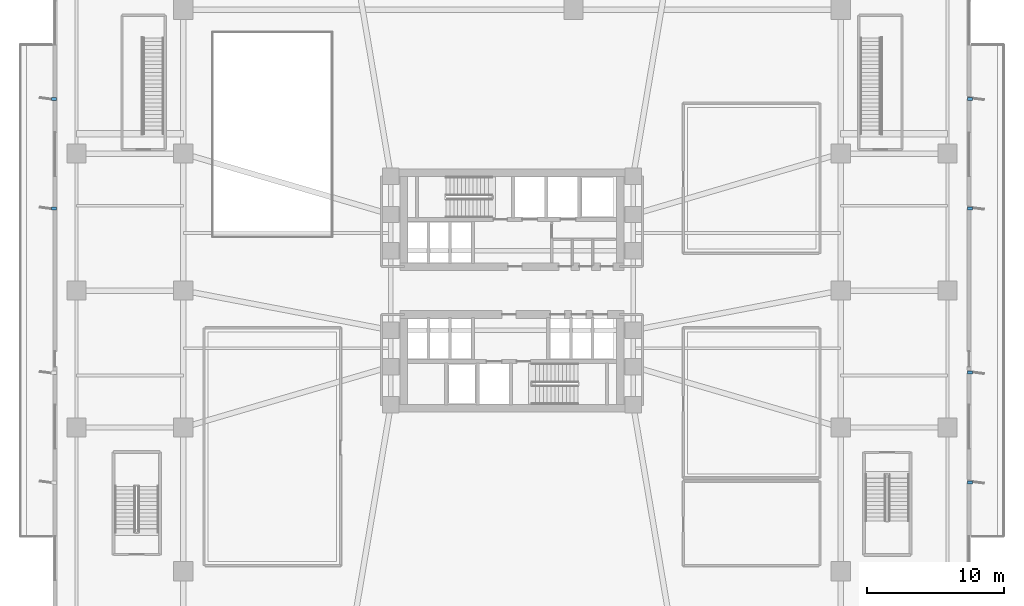
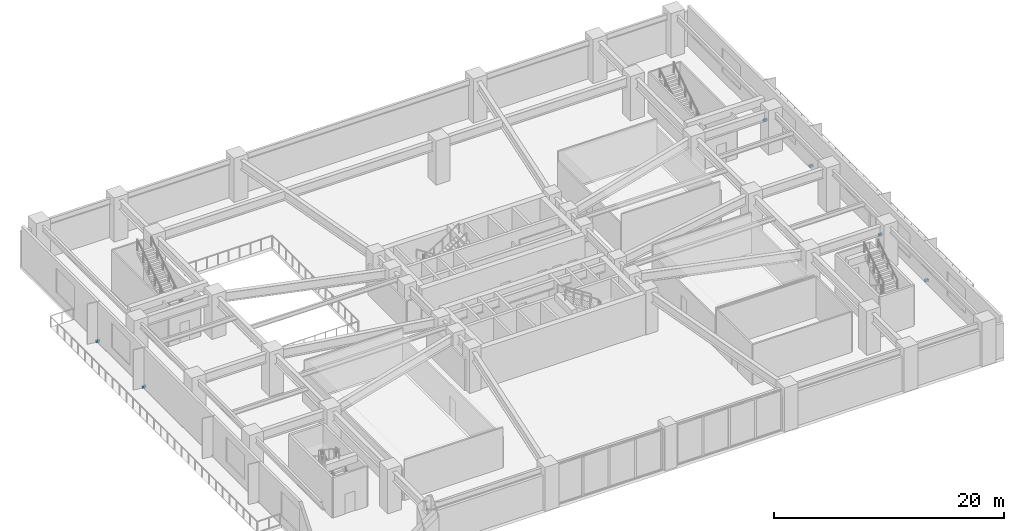
# One storey, part 9 of 13: 6 discrete accessories.
"""IFC4 building model written with IfcOpenShell, lengths in metres."""

from ifc_helpers import new_model, si_unit, direction, frame, origin, origin_2d, place, context, subcontext, project, spatial, rectangle, extrude, material, type_object, element, save


model = new_model("IFC4")

# Units and contexts
model_context = context("Model", 3, precision=1e-05, world=origin(), true_north=direction((0.0, 1.0)))
body_context = subcontext(model_context, "Body", "Model", "MODEL_VIEW")
ifc_project = project(units=[si_unit("LENGTHUNIT", "METRE"), si_unit("AREAUNIT", "SQUARE_METRE"), si_unit("VOLUMEUNIT", "CUBIC_METRE"), si_unit("PLANEANGLEUNIT", "RADIAN"), si_unit("MASSUNIT", "GRAM", prefix="KILO")], contexts=[model_context])

# Site, building, storey
site_placement = place(None, origin())
site = spatial("IfcSite", under=ifc_project, at=site_placement, CompositionType="ELEMENT")
building_placement = place(site_placement, origin())
building = spatial("IfcBuilding", under=site, at=building_placement, Name="Solmarez Civic Tower", CompositionType="ELEMENT")
storey_placement = place(building_placement, frame((0.0, 0.0, 14.760009765625)))
storey = spatial("IfcBuildingStorey", under=building, at=storey_placement, Name="L03", CompositionType="ELEMENT", Elevation=14.760009765625)

# Discrete accessories
ifc_material = material(Name="Stainless Steel Grade 1.4401", Category="steel")
discrete_accessory_type = type_object("IfcDiscreteAccessoryType", Name="BRACKET-SS-FIN", PredefinedType="BRACKET", material=ifc_material)
for number, where, z_axis, x_axis, name in (
    (1, (33.449951171875, -14.0, -0.06005859375), (0.0, 0.0, 1.0), (1.0, 0.0, 0.0), "L03 Stainless Fin Support Bracket FIN-L03-E1"),
    (2, (33.449951171875, -6.0, -0.06005859375), (0.0, 0.0, 1.0), (1.0, 0.0, 0.0), "L03 Stainless Fin Support Bracket FIN-L03-E2"),
    (3, (33.449951171875, 6.0, -0.06005859375), (0.0, 0.0, 1.0), (1.0, 0.0, 0.0), "L03 Stainless Fin Support Bracket FIN-L03-E3"),
    (4, (33.449951171875, 14.0, -0.06005859375), (0.0, 0.0, 1.0), (1.0, 0.0, 0.0), "L03 Stainless Fin Support Bracket FIN-L03-E4"),
    (5, (-33.449951171875, 6.0, -0.06005859375), (0.0, 0.0, 1.0), (-1.0, 0.0, 0.0), "L03 Stainless Fin Support Bracket FIN-L03-W3"),
    (6, (-33.449951171875, 14.0, -0.06005859375), (0.0, 0.0, 1.0), (-1.0, 0.0, 0.0), "L03 Stainless Fin Support Bracket FIN-L03-W4"),
):
    element("IfcDiscreteAccessory", number, at=place(storey_placement, frame(where, z_axis=z_axis, x_axis=x_axis)), inside=storey, type_object=discrete_accessory_type, Name=name, PredefinedType="BRACKET", context=body_context, shape_type="SweptSolid", body=[
        extrude(rectangle(XDim=0.360107421875, YDim=0.219970703125, at=origin_2d()), origin(), (0.0, 0.0, 1.0), 0.239990234375),
    ])

save(model, "model.ifc")
